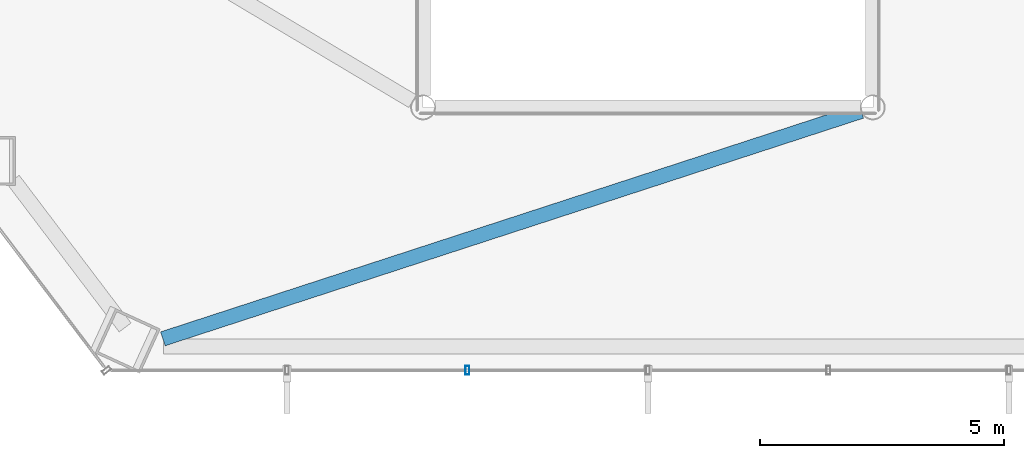
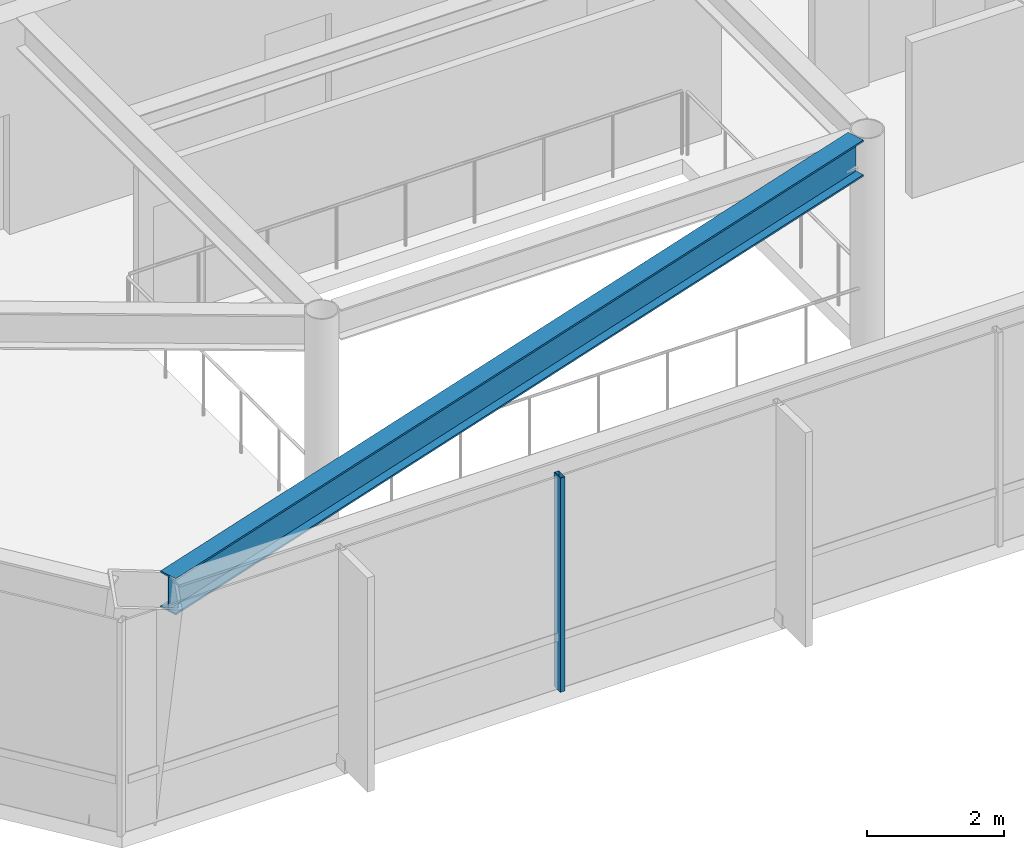
# One storey, part 6 of 27: 1 beam, 1 member, 1 element without a shape of its own.
"""IFC4 building model written with IfcOpenShell, lengths in metres."""

from ifc_helpers import new_model, si_unit, direction, frame, origin, origin_2d, place, context, subcontext, project, spatial, hollow_rectangle, i_section, extrude, material, layer, layer_set, material_profile, profile_set, type_object, element, aggregate, save


model = new_model("IFC4")

# Units and contexts
model_context = context("Model", 3, precision=1e-05, world=origin(), true_north=direction((0.0, 1.0)))
body_context = subcontext(model_context, "Body", "Model", "MODEL_VIEW")
ifc_project = project(units=[si_unit("LENGTHUNIT", "METRE"), si_unit("AREAUNIT", "SQUARE_METRE"), si_unit("VOLUMEUNIT", "CUBIC_METRE"), si_unit("PLANEANGLEUNIT", "RADIAN"), si_unit("MASSUNIT", "GRAM", prefix="KILO")], contexts=[model_context])

# Site, building, storey
site_placement = place(None, origin())
site = spatial("IfcSite", under=ifc_project, at=site_placement, CompositionType="ELEMENT")
building_placement = place(site_placement, origin())
building = spatial("IfcBuilding", under=site, at=building_placement, Name="Zarrinselat Tower", CompositionType="ELEMENT")
storey_placement = place(building_placement, frame((0.0, 0.0, 47.93994140625)))
storey = spatial("IfcBuildingStorey", under=building, at=storey_placement, Name="L11", CompositionType="ELEMENT", Elevation=47.93994140625)

# Beam
ifc_material_1 = material(Name="Steel S355J2", Category="steel")
ifc_material_profile_1 = material_profile(ifc_material_1, i_section(OverallWidth=0.300048828125, OverallDepth=0.64990234375, WebThickness=0.01611328125, FlangeThickness=0.031005859375, at=origin_2d()), Name="HEB 650")
ifc_profile_set_1 = profile_set([ifc_material_profile_1], Name="Steel S355J2")
beam_type = type_object("IfcBeamType", Name="BM-HEB650", PredefinedType="BEAM", material=ifc_profile_set_1)
beam_placement = place(storey_placement, frame((28.477783203125, 19.667236328125, 3.4951171875), z_axis=(0.950782616269, 0.309858704251, 0.0), x_axis=(-0.309858704251, 0.950782616269, 0.0)))
element("IfcBeam", 1, at=beam_placement, inside=storey, type_object=beam_type, Name="L11 Radial Primary Girder RG10", PredefinedType="BEAM", context=body_context, shape_type="SweptSolid", body=[
    extrude(i_section(OverallWidth=0.300048828125, OverallDepth=0.64990234375, WebThickness=0.01611328125, FlangeThickness=0.031005859375, at=origin_2d()), origin(), (0.0, 0.0, 1.0), 15.02392578125),
])

# Curtain wall, member
ifc_material_2 = material(Name="Extruded Aluminium Alloy EN AW-6063 T6", Category="aluminium")
ifc_layer = layer(ifc_material_2, 0.18505859375)
ifc_layer_set = layer_set([ifc_layer], Name="Extruded Aluminium Alloy EN AW-6063 T6")
curtain_wall_type = type_object("IfcCurtainWallType", Name="CWS-OFF", PredefinedType="NOTDEFINED", material=ifc_layer_set)
curtain_wall_placement = place(storey_placement, origin())
curtain_wall = element("IfcCurtainWall", 2, at=curtain_wall_placement, inside=storey, type_object=curtain_wall_type, Name="L11 Unitised Curtain Wall CW-L11-E04", PredefinedType="NOTDEFINED")
ifc_material_3 = material(Name="Extruded Aluminium Alloy EN AW-6063 T6", Category="aluminium")
ifc_material_profile_2 = material_profile(ifc_material_3, hollow_rectangle(XDim=0.080078125, YDim=0.179931640625, WallThickness=0.0048828125, at=origin_2d()), Name="RHS 180x80x5")
ifc_profile_set_2 = profile_set([ifc_material_profile_2], Name="Extruded Aluminium Alloy EN AW-6063 T6")
member_type = type_object("IfcMemberType", Name="MEM-CW-MUL", PredefinedType="MULLION", material=ifc_profile_set_2)
member_placement = place(storey_placement, frame((34.70849609375, 19.02294921875, 0.0), z_axis=(0.0, 0.0, 1.0), x_axis=(1.0, 0.0, 0.0)))
member = element("IfcMember", 3, at=member_placement, type_object=member_type, Name="CW-L11-E04 Mullion 2", PredefinedType="MULLION", context=body_context, shape_type="SweptSolid", body=[
    extrude(hollow_rectangle(XDim=0.080078125, YDim=0.179931640625, WallThickness=0.0048828125, at=origin_2d()), origin(), (0.0, 0.0, 1.0), 3.820068359375),
])
aggregate(curtain_wall, [member])

save(model, "model.ifc")
